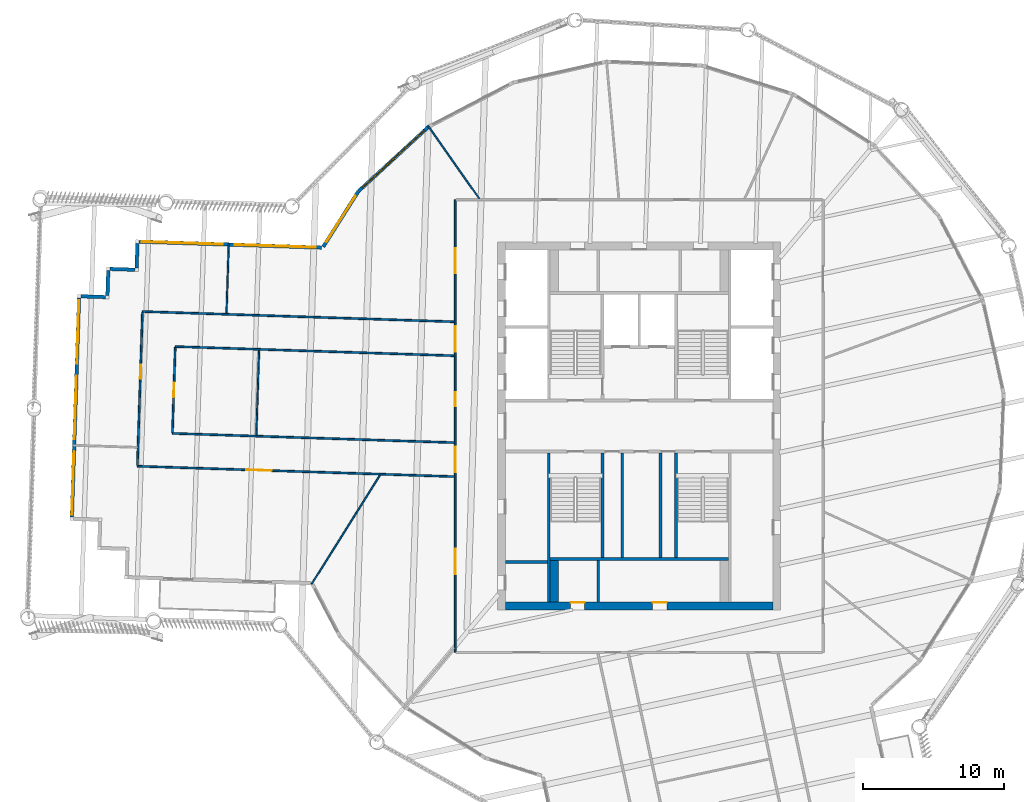
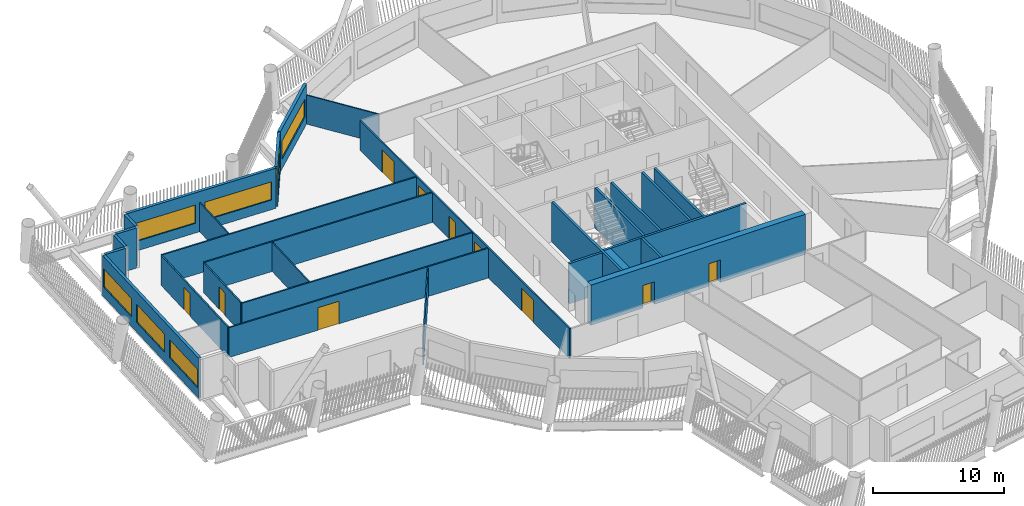
# One storey, part 4 of 21: 29 walls, 10 doors, 7 windows, 17 openings.
"""IFC4 building model written with IfcOpenShell, lengths in metres."""

from ifc_helpers import new_model, si_unit, direction, frame, frame_2d, origin, place, context, subcontext, project, spatial, rectangle, extrude, material, layer, layer_set, type_object, element, fill, save


model = new_model("IFC4")

# Units and contexts
model_context = context("Model", 3, precision=1e-05, world=origin(), true_north=direction((0.0, 1.0)))
body_context = subcontext(model_context, "Body", "Model", "MODEL_VIEW")
ifc_project = project(units=[si_unit("LENGTHUNIT", "METRE"), si_unit("AREAUNIT", "SQUARE_METRE"), si_unit("VOLUMEUNIT", "CUBIC_METRE"), si_unit("PLANEANGLEUNIT", "RADIAN"), si_unit("MASSUNIT", "GRAM", prefix="KILO")], contexts=[model_context])

# Site, building, storey
site_placement = place(None, origin())
site = spatial("IfcSite", under=ifc_project, at=site_placement, CompositionType="ELEMENT")
building_placement = place(site_placement, origin())
building = spatial("IfcBuilding", under=site, at=building_placement, Name="Tarsis Ring Headquarters", CompositionType="ELEMENT")
storey_placement = place(building_placement, frame((0.0, 0.0, 278.60009765625)))
storey = spatial("IfcBuildingStorey", under=building, at=storey_placement, Name="L65", CompositionType="ELEMENT", Elevation=278.60009765625)

# Walls
ifc_material_1 = material(Name="Blockwork", Category="masonry")
ifc_layer_1 = layer(ifc_material_1, 0.199951171875)
ifc_layer_set_1 = layer_set([ifc_layer_1], Name="Core blockwork wall 200")
wall_type_1 = type_object("IfcWallType", Name="Core blockwork wall 200", PredefinedType="PARTITIONING", material=ifc_layer_set_1)
for number, where, z_axis, x_axis, name in (
    (1, (-9.449951171875, -9.60009765625, 0.0), (0.0, 0.0, 1.0), (1.0, 0.0, 0.0), "Core partition WD1"),
    (2, (-2.89990234375, -12.449951171875, 0.0), (0.0, 0.0, 1.0), (0.0, 1.0, 0.0), "Core partition SD1"),
):
    element("IfcWall", number, at=place(storey_placement, frame(where, z_axis=z_axis, x_axis=x_axis)), inside=storey, type_object=wall_type_1, Name=name, PredefinedType="PARTITIONING", context=body_context, shape_type="SweptSolid", body=[
        extrude(rectangle(XDim=2.949951171875, YDim=0.199951171875, at=frame_2d((1.47509765625, 0.0))), origin(), (0.0, 0.0, 1.0), 3.739990234375),
    ])
for number, where, z_axis, x_axis, name in (
    (3, (-1.199951171875, -9.300048828125, 0.0), (0.0, 0.0, 1.0), (0.0, 1.0, 0.0), "Core partition SV1"),
    (4, (1.5, -9.300048828125, 0.0), (0.0, 0.0, 1.0), (0.0, 1.0, 0.0), "Core partition SV2"),
):
    element("IfcWall", number, at=place(storey_placement, frame(where, z_axis=z_axis, x_axis=x_axis)), inside=storey, type_object=wall_type_1, Name=name, PredefinedType="PARTITIONING", context=body_context, shape_type="SweptSolid", body=[
        extrude(rectangle(XDim=7.400146484375, YDim=0.199951171875, at=frame_2d((3.7001953125, 0.0))), origin(), (0.0, 0.0, 1.0), 3.739990234375),
    ])

# Wall, openings, doors
ifc_material_2 = material(Name="Concrete C50/60", Category="concrete")
ifc_layer_2 = layer(ifc_material_2, 0.550048828125)
ifc_layer_set_2 = layer_set([ifc_layer_2], Name="Core wall 550 C50/60")
wall_type_2 = type_object("IfcWallType", Name="Core wall 550 C50/60", PredefinedType="SHEAR", material=ifc_layer_set_2)
wall_1_placement = place(storey_placement, frame((-9.449951171875, -12.72509765625, 0.0), z_axis=(0.0, 0.0, 1.0), x_axis=(1.0, 0.0, 0.0)))
wall_1 = element("IfcWall", 5, at=wall_1_placement, inside=storey, type_object=wall_type_2, Name="Core wall OS", PredefinedType="SHEAR", context=body_context, shape_type="SweptSolid", body=[
    extrude(rectangle(XDim=18.89990234375, YDim=0.550048828125, at=frame_2d((9.449951171875, 0.0))), origin(), (0.0, 0.0, 1.0), 3.739990234375),
])
opening_1_placement = place(wall_1_placement, frame((4.60009765625, 0.0, 0.0)))
opening_1 = element("IfcOpeningElement", 6, at=opening_1_placement, cuts=wall_1, Name="Opening L65-C17", PredefinedType="OPENING", context=body_context, shape_type="SweptSolid", body=[
    extrude(rectangle(XDim=1.0, YDim=2.10009765625, at=frame_2d((0.5, 1.050048828125))), frame((0.0, 0.284912109375, 0.0), z_axis=(0.0, -1.0, 0.0), x_axis=(1.0, 0.0, 0.0)), (0.0, 0.0, 1.0), 0.570068359375),
])
opening_2_placement = place(wall_1_placement, frame((10.39990234375, 0.0, 0.0)))
opening_2 = element("IfcOpeningElement", 7, at=opening_2_placement, cuts=wall_1, Name="Opening L65-C18", PredefinedType="OPENING", context=body_context, shape_type="SweptSolid", body=[
    extrude(rectangle(XDim=1.0, YDim=2.10009765625, at=frame_2d((0.5, 1.050048828125))), frame((0.0, 0.284912109375, 0.0), z_axis=(0.0, -1.0, 0.0), x_axis=(1.0, 0.0, 0.0)), (0.0, 0.0, 1.0), 0.570068359375),
])
ifc_material_3 = material(Name="Steel S355", Category="steel")
door_type_1 = type_object("IfcDoorType", Name="Core room door 1000x2100", OperationType="SINGLE_SWING_LEFT", PredefinedType="DOOR", material=ifc_material_3)
door_1_placement = place(opening_1_placement, origin())
door_1 = element("IfcDoor", 8, at=door_1_placement, inside=storey, type_object=door_type_1, Name="Core room door L65", OperationType="SINGLE_SWING_LEFT", OverallHeight=2.10009765625, OverallWidth=1.0, PredefinedType="DOOR", context=body_context, shape_type="SweptSolid", body=[
    extrude(rectangle(XDim=1.0, YDim=2.10009765625, at=frame_2d((0.5, 1.050048828125))), frame((0.0, 0.27490234375, 0.0), z_axis=(0.0, -1.0, 0.0), x_axis=(1.0, 0.0, 0.0)), (0.0, 0.0, 1.0), 0.050048828125),
])
fill(opening_1, door_1)
door_2_placement = place(opening_2_placement, origin())
door_2 = element("IfcDoor", 9, at=door_2_placement, inside=storey, type_object=door_type_1, Name="Core room door L65", OperationType="SINGLE_SWING_LEFT", OverallHeight=2.10009765625, OverallWidth=1.0, PredefinedType="DOOR", context=body_context, shape_type="SweptSolid", body=[
    extrude(rectangle(XDim=1.0, YDim=2.10009765625, at=frame_2d((0.5, 1.050048828125))), frame((0.0, 0.27490234375, 0.0), z_axis=(0.0, -1.0, 0.0), x_axis=(1.0, 0.0, 0.0)), (0.0, 0.0, 1.0), 0.050048828125),
])
fill(opening_2, door_2)

# Walls
ifc_material_4 = material(Name="Gypsum board on steel studs", Category="steel")
ifc_layer_3 = layer(ifc_material_4, 0.10009765625)
ifc_layer_set_3 = layer_set([ifc_layer_3], Name="FL partition 100 unrated")
wall_type_3 = type_object("IfcWallType", Name="FL partition 100 unrated", PredefinedType="PARTITIONING", material=ifc_layer_set_3)
wall_2_placement = place(storey_placement, frame((-23.158203125, -11.171142578125, 0.0), z_axis=(0.0, 0.0, 1.0), x_axis=(0.531851083198, 0.846837897889, 0.0)))
element("IfcWall", 10, at=wall_2_placement, inside=storey, type_object=wall_type_3, Name="Partition PW3", PredefinedType="PARTITIONING", context=body_context, shape_type="SweptSolid", body=[
    extrude(rectangle(XDim=9.08154296875, YDim=0.10009765625, at=frame_2d((4.540771484375, 0.0))), origin(), (0.0, 0.0, 1.0), 2.699951171875),
])
wall_3_placement = place(storey_placement, frame((-14.927490234375, 21.22412109375, 0.0), z_axis=(0.0, 0.0, 1.0), x_axis=(0.575282723059, -0.81795463722, 0.0)))
element("IfcWall", 11, at=wall_3_placement, inside=storey, type_object=wall_type_3, Name="Partition PW3", PredefinedType="PARTITIONING", context=body_context, shape_type="SweptSolid", body=[
    extrude(rectangle(XDim=6.286865234375, YDim=0.10009765625, at=frame_2d((3.1435546875, 0.0))), origin(), (0.0, 0.0, 1.0), 2.699951171875),
])
wall_4_placement = place(storey_placement, frame((-27.065673828125, -0.642333984375, 0.0), z_axis=(0.0, 0.0, 1.0), x_axis=(0.032797263748, 0.999462025037, 0.0)))
element("IfcWall", 12, at=wall_4_placement, inside=storey, type_object=wall_type_3, Name="Partition PW3", PredefinedType="PARTITIONING", context=body_context, shape_type="SweptSolid", body=[
    extrude(rectangle(XDim=5.999755859375, YDim=0.10009765625, at=frame_2d((3.0, 0.0))), origin(), (0.0, 0.0, 1.0), 2.699951171875),
])
wall_5_placement = place(storey_placement, frame((-29.17431640625, 7.971435546875, 0.0), z_axis=(0.0, 0.0, 1.0), x_axis=(0.032816217748, 0.999461402883, 0.0)))
element("IfcWall", 13, at=wall_5_placement, inside=storey, type_object=wall_type_3, Name="Partition PW3", PredefinedType="PARTITIONING", context=body_context, shape_type="SweptSolid", body=[
    extrude(rectangle(XDim=4.93994140625, YDim=0.10009765625, at=frame_2d((2.469970703125, 0.0))), origin(), (0.0, 0.0, 1.0), 2.699951171875),
])

# Wall, openings, doors
ifc_layer_4 = layer(ifc_material_4, 0.125)
ifc_layer_set_4 = layer_set([ifc_layer_4], Name="FL partition 125 EI 60 H2770")
wall_type_4 = type_object("IfcWallType", Name="FL partition 125 EI 60 H2770", PredefinedType="PARTITIONING", material=ifc_layer_set_4)
wall_6_placement = place(storey_placement, frame((-13.0, -16.0, 0.0), z_axis=(0.0, 0.0, 1.0), x_axis=(0.0, 1.0, 0.0)))
wall_6 = element("IfcWall", 14, at=wall_6_placement, inside=storey, type_object=wall_type_4, Name="Partition PW1", PredefinedType="PARTITIONING", context=body_context, shape_type="SweptSolid", body=[
    extrude(rectangle(XDim=32.0, YDim=0.125, at=frame_2d((16.0, 0.0))), origin(), (0.0, 0.0, 1.0), 2.77001953125),
])
opening_3_placement = place(wall_6_placement, frame((26.78515625, 0.0, 0.0)))
opening_3 = element("IfcOpeningElement", 15, at=opening_3_placement, cuts=wall_6, Name="Opening D65.03", PredefinedType="OPENING", context=body_context, shape_type="SweptSolid", body=[
    extrude(rectangle(XDim=1.800048828125, YDim=2.10009765625, at=frame_2d((0.89990234375, 1.050048828125))), frame((0.0, 0.072509765625, 0.0), z_axis=(0.0, -1.0, 0.0), x_axis=(1.0, 0.0, 0.0)), (0.0, 0.0, 1.0), 0.14501953125),
])
opening_4_placement = place(wall_6_placement, frame((5.53271484375, 0.0, 0.0)))
opening_4 = element("IfcOpeningElement", 16, at=opening_4_placement, cuts=wall_6, Name="Opening D65.13", PredefinedType="OPENING", context=body_context, shape_type="SweptSolid", body=[
    extrude(rectangle(XDim=1.800048828125, YDim=2.10009765625, at=frame_2d((0.89990234375, 1.050048828125))), frame((0.0, 0.072509765625, 0.0), z_axis=(0.0, -1.0, 0.0), x_axis=(1.0, 0.0, 0.0)), (0.0, 0.0, 1.0), 0.14501953125),
])
opening_5_placement = place(wall_6_placement, frame((17.3974609375, 0.0, 0.0)))
opening_5 = element("IfcOpeningElement", 17, at=opening_5_placement, cuts=wall_6, Name="Opening D65.14", PredefinedType="OPENING", context=body_context, shape_type="SweptSolid", body=[
    extrude(rectangle(XDim=1.0, YDim=2.10009765625, at=frame_2d((0.5, 1.050048828125))), frame((0.0, 0.072509765625, 0.0), z_axis=(0.0, -1.0, 0.0), x_axis=(1.0, 0.0, 0.0)), (0.0, 0.0, 1.0), 0.14501953125),
])
opening_6_placement = place(wall_6_placement, frame((12.72509765625, 0.0, 0.0)))
opening_6 = element("IfcOpeningElement", 18, at=opening_6_placement, cuts=wall_6, Name="Opening D65.20", PredefinedType="OPENING", context=body_context, shape_type="SweptSolid", body=[
    extrude(rectangle(XDim=1.800048828125, YDim=2.10009765625, at=frame_2d((0.89990234375, 1.050048828125))), frame((0.0, 0.072509765625, 0.0), z_axis=(0.0, -1.0, 0.0), x_axis=(1.0, 0.0, 0.0)), (0.0, 0.0, 1.0), 0.14501953125),
])
opening_7_placement = place(wall_6_placement, frame((21.269775390625, 0.0, 0.0)))
opening_7 = element("IfcOpeningElement", 19, at=opening_7_placement, cuts=wall_6, Name="Opening D65.21", PredefinedType="OPENING", context=body_context, shape_type="SweptSolid", body=[
    extrude(rectangle(XDim=1.800048828125, YDim=2.10009765625, at=frame_2d((0.89990234375, 1.050048828125))), frame((0.0, 0.072509765625, 0.0), z_axis=(0.0, -1.0, 0.0), x_axis=(1.0, 0.0, 0.0)), (0.0, 0.0, 1.0), 0.14501953125),
])
ifc_material_5 = material(Name="Fire-rated timber door leaf in steel frame", Category="steel")
door_type_2 = type_object("IfcDoorType", Name="FL door FD60-1000", OperationType="NOTDEFINED", PredefinedType="DOOR", material=ifc_material_5)
door_3_placement = place(opening_5_placement, origin())
door_3 = element("IfcDoor", 20, at=door_3_placement, inside=storey, type_object=door_type_2, Name="Door D65.14", OperationType="SINGLE_SWING_LEFT", OverallHeight=2.10009765625, OverallWidth=1.0, PredefinedType="DOOR", context=body_context, shape_type="SweptSolid", body=[
    extrude(rectangle(XDim=1.0, YDim=2.10009765625, at=frame_2d((0.5, 1.050048828125))), frame((0.0, 0.02490234375, 0.0), z_axis=(0.0, -1.0, 0.0), x_axis=(1.0, 0.0, 0.0)), (0.0, 0.0, 1.0), 0.050048828125),
])
fill(opening_5, door_3)
door_type_3 = type_object("IfcDoorType", Name="FL door FD60-1800", OperationType="DOUBLE_DOOR_SINGLE_SWING", PredefinedType="DOOR", material=ifc_material_5)
door_4_placement = place(opening_3_placement, origin())
door_4 = element("IfcDoor", 21, at=door_4_placement, inside=storey, type_object=door_type_3, Name="Door D65.03", OperationType="DOUBLE_DOOR_SINGLE_SWING", OverallHeight=2.10009765625, OverallWidth=1.800048828125, PredefinedType="DOOR", context=body_context, shape_type="SweptSolid", body=[
    extrude(rectangle(XDim=1.800048828125, YDim=2.10009765625, at=frame_2d((0.89990234375, 1.050048828125))), frame((0.0, 0.02490234375, 0.0), z_axis=(0.0, -1.0, 0.0), x_axis=(1.0, 0.0, 0.0)), (0.0, 0.0, 1.0), 0.050048828125),
])
fill(opening_3, door_4)
door_5_placement = place(opening_4_placement, origin())
door_5 = element("IfcDoor", 22, at=door_5_placement, inside=storey, type_object=door_type_3, Name="Door D65.13", OperationType="DOUBLE_DOOR_SINGLE_SWING", OverallHeight=2.10009765625, OverallWidth=1.800048828125, PredefinedType="DOOR", context=body_context, shape_type="SweptSolid", body=[
    extrude(rectangle(XDim=1.800048828125, YDim=2.10009765625, at=frame_2d((0.89990234375, 1.050048828125))), frame((0.0, 0.02490234375, 0.0), z_axis=(0.0, -1.0, 0.0), x_axis=(1.0, 0.0, 0.0)), (0.0, 0.0, 1.0), 0.050048828125),
])
fill(opening_4, door_5)
door_6_placement = place(opening_6_placement, origin())
door_6 = element("IfcDoor", 23, at=door_6_placement, inside=storey, type_object=door_type_3, Name="Door D65.20", OperationType="DOUBLE_DOOR_SINGLE_SWING", OverallHeight=2.10009765625, OverallWidth=1.800048828125, PredefinedType="DOOR", context=body_context, shape_type="SweptSolid", body=[
    extrude(rectangle(XDim=1.800048828125, YDim=2.10009765625, at=frame_2d((0.89990234375, 1.050048828125))), frame((0.0, 0.02490234375, 0.0), z_axis=(0.0, -1.0, 0.0), x_axis=(1.0, 0.0, 0.0)), (0.0, 0.0, 1.0), 0.050048828125),
])
fill(opening_6, door_6)
door_7_placement = place(opening_7_placement, origin())
door_7 = element("IfcDoor", 24, at=door_7_placement, inside=storey, type_object=door_type_3, Name="Door D65.21", OperationType="DOUBLE_DOOR_SINGLE_SWING", OverallHeight=2.10009765625, OverallWidth=1.800048828125, PredefinedType="DOOR", context=body_context, shape_type="SweptSolid", body=[
    extrude(rectangle(XDim=1.800048828125, YDim=2.10009765625, at=frame_2d((0.89990234375, 1.050048828125))), frame((0.0, 0.02490234375, 0.0), z_axis=(0.0, -1.0, 0.0), x_axis=(1.0, 0.0, 0.0)), (0.0, 0.0, 1.0), 0.050048828125),
])
fill(opening_7, door_7)

# Wall, opening, door
wall_7_placement = place(storey_placement, frame((-35.47216796875, -2.837890625, 0.0), z_axis=(0.0, 0.0, 1.0), x_axis=(0.999462047888, -0.03279656738, 0.0)))
wall_7 = element("IfcWall", 25, at=wall_7_placement, inside=storey, type_object=wall_type_4, Name="Partition PW1", PredefinedType="PARTITIONING", context=body_context, shape_type="SweptSolid", body=[
    extrude(rectangle(XDim=22.4140625, YDim=0.125, at=frame_2d((11.20703125, 0.0))), origin(), (0.0, 0.0, 1.0), 2.77001953125),
])
opening_8_placement = place(wall_7_placement, frame((7.69873046875, 0.0, 0.0)))
opening_8 = element("IfcOpeningElement", 26, at=opening_8_placement, cuts=wall_7, Name="Opening D65.01", PredefinedType="OPENING", context=body_context, shape_type="SweptSolid", body=[
    extrude(rectangle(XDim=1.800048828125, YDim=2.10009765625, at=frame_2d((0.89990234375, 1.050048828125))), frame((0.0, 0.072509765625, 0.0), z_axis=(0.0, -1.0, 0.0), x_axis=(1.0, 0.0, 0.0)), (0.0, 0.0, 1.0), 0.14501953125),
])
door_8_placement = place(opening_8_placement, origin())
door_8 = element("IfcDoor", 27, at=door_8_placement, inside=storey, type_object=door_type_3, Name="Door D65.01", OperationType="DOUBLE_DOOR_SINGLE_SWING", OverallHeight=2.10009765625, OverallWidth=1.800048828125, PredefinedType="DOOR", context=body_context, shape_type="SweptSolid", body=[
    extrude(rectangle(XDim=1.800048828125, YDim=2.10009765625, at=frame_2d((0.89990234375, 1.050048828125))), frame((0.0, 0.02490234375, 0.0), z_axis=(0.0, -1.0, 0.0), x_axis=(1.0, 0.0, 0.0)), (0.0, 0.0, 1.0), 0.050048828125),
])
fill(opening_8, door_8)

# Walls
wall_8_placement = place(storey_placement, frame((-35.11328125, 8.09619140625, 0.0), z_axis=(0.0, 0.0, 1.0), x_axis=(0.999461961924, -0.032799186979, 0.0)))
element("IfcWall", 28, at=wall_8_placement, inside=storey, type_object=wall_type_4, Name="Partition PW1", PredefinedType="PARTITIONING", context=body_context, shape_type="SweptSolid", body=[
    extrude(rectangle(XDim=22.05517578125, YDim=0.125, at=frame_2d((11.027587890625, 0.0))), origin(), (0.0, 0.0, 1.0), 2.77001953125),
])
wall_9_placement = place(storey_placement, frame((-32.99462890625, -0.517822265625, 0.0), z_axis=(0.0, 0.0, 1.0), x_axis=(0.999461646902, -0.032808784993, 0.0)))
element("IfcWall", 29, at=wall_9_placement, inside=storey, type_object=wall_type_4, Name="Partition PW1", PredefinedType="PARTITIONING", context=body_context, shape_type="SweptSolid", body=[
    extrude(rectangle(XDim=19.935302734375, YDim=0.125, at=frame_2d((9.9677734375, 0.0))), origin(), (0.0, 0.0, 1.0), 2.77001953125),
])
wall_10_placement = place(storey_placement, frame((-32.793212890625, 5.618896484375, 0.0), z_axis=(0.0, 0.0, 1.0), x_axis=(0.999461613705, -0.032809796246, 0.0)))
element("IfcWall", 30, at=wall_10_placement, inside=storey, type_object=wall_type_4, Name="Partition PW1", PredefinedType="PARTITIONING", context=body_context, shape_type="SweptSolid", body=[
    extrude(rectangle(XDim=19.73388671875, YDim=0.125, at=frame_2d((9.866943359375, 0.0))), origin(), (0.0, 0.0, 1.0), 2.77001953125),
])

# Wall, opening, door
wall_11_placement = place(storey_placement, frame((-35.47021484375, -2.77783203125, 0.0), z_axis=(0.0, 0.0, 1.0), x_axis=(0.032807704846, 0.999461682358, 0.0)))
wall_11 = element("IfcWall", 31, at=wall_11_placement, inside=storey, type_object=wall_type_4, Name="Partition PW1", PredefinedType="PARTITIONING", context=body_context, shape_type="SweptSolid", body=[
    extrude(rectangle(XDim=10.820068359375, YDim=0.125, at=frame_2d((5.41015625, 0.0))), origin(), (0.0, 0.0, 1.0), 2.77001953125),
])
opening_9_placement = place(wall_11_placement, frame((6.110107421875, 0.0, 0.0)))
opening_9 = element("IfcOpeningElement", 32, at=opening_9_placement, cuts=wall_11, Name="Opening D65.02", PredefinedType="OPENING", context=body_context, shape_type="SweptSolid", body=[
    extrude(rectangle(XDim=1.0, YDim=2.10009765625, at=frame_2d((0.5, 1.050048828125))), frame((0.0, 0.072509765625, 0.0), z_axis=(0.0, -1.0, 0.0), x_axis=(1.0, 0.0, 0.0)), (0.0, 0.0, 1.0), 0.14501953125),
])
door_9_placement = place(opening_9_placement, origin())
door_9 = element("IfcDoor", 33, at=door_9_placement, inside=storey, type_object=door_type_2, Name="Door D65.02", OperationType="SINGLE_SWING_LEFT", OverallHeight=2.10009765625, OverallWidth=1.0, PredefinedType="DOOR", context=body_context, shape_type="SweptSolid", body=[
    extrude(rectangle(XDim=1.0, YDim=2.10009765625, at=frame_2d((0.5, 1.050048828125))), frame((0.0, 0.02490234375, 0.0), z_axis=(0.0, -1.0, 0.0), x_axis=(1.0, 0.0, 0.0)), (0.0, 0.0, 1.0), 0.050048828125),
])
fill(opening_9, door_9)

wall_12_placement = place(storey_placement, frame((-32.992919921875, -0.4580078125, 0.0), z_axis=(0.0, 0.0, 1.0), x_axis=(0.032808459363, 0.999461657591, 0.0)))
wall_12 = element("IfcWall", 34, at=wall_12_placement, inside=storey, type_object=wall_type_4, Name="Partition PW1", PredefinedType="PARTITIONING", context=body_context, shape_type="SweptSolid", body=[
    extrude(rectangle(XDim=6.02001953125, YDim=0.125, at=frame_2d((3.010009765625, 0.0))), origin(), (0.0, 0.0, 1.0), 2.77001953125),
])
opening_10_placement = place(wall_12_placement, frame((2.510009765625, 0.0, 0.0)))
opening_10 = element("IfcOpeningElement", 35, at=opening_10_placement, cuts=wall_12, Name="Opening D65.15", PredefinedType="OPENING", context=body_context, shape_type="SweptSolid", body=[
    extrude(rectangle(XDim=1.0, YDim=2.10009765625, at=frame_2d((0.5, 1.050048828125))), frame((0.0, 0.072509765625, 0.0), z_axis=(0.0, -1.0, 0.0), x_axis=(1.0, 0.0, 0.0)), (0.0, 0.0, 1.0), 0.14501953125),
])
door_10_placement = place(opening_10_placement, origin())
door_10 = element("IfcDoor", 36, at=door_10_placement, inside=storey, type_object=door_type_2, Name="Door D65.15", OperationType="SINGLE_SWING_RIGHT", OverallHeight=2.10009765625, OverallWidth=1.0, PredefinedType="DOOR", context=body_context, shape_type="SweptSolid", body=[
    extrude(rectangle(XDim=1.0, YDim=2.10009765625, at=frame_2d((0.5, 1.050048828125))), frame((0.0, 0.02490234375, 0.0), z_axis=(0.0, -1.0, 0.0), x_axis=(1.0, 0.0, 0.0)), (0.0, 0.0, 1.0), 0.050048828125),
])
fill(opening_10, door_10)

# Wall, opening, window
ifc_material_6 = material(Name="Terracotta clad insulated panel wall", Category="masonry")
ifc_layer_5 = layer(ifc_material_6, 0.25)
ifc_layer_set_5 = layer_set([ifc_layer_5], Name="Facade wall terracotta panel 250")
wall_type_5 = type_object("IfcWallType", Name="Facade wall terracotta panel 250", PredefinedType="STANDARD", material=ifc_layer_set_5)
wall_13_placement = place(storey_placement, frame((-14.897216796875, 21.15234375, 0.0), z_axis=(0.0, 0.0, 1.0), x_axis=(-0.735863681886, -0.677129708166, 0.0)))
wall_13 = element("IfcWall", 37, at=wall_13_placement, inside=storey, type_object=wall_type_5, Name="External wall L65-29", PredefinedType="STANDARD", context=body_context, shape_type="SweptSolid", body=[
    extrude(rectangle(XDim=6.721435546875, YDim=0.25, at=frame_2d((3.36083984375, 0.0))), origin(), (0.0, 0.0, 1.0), 3.739990234375),
])
opening_11_placement = place(wall_13_placement, frame((0.3857421875, 0.0, 0.89990234375)))
opening_11 = element("IfcOpeningElement", 38, at=opening_11_placement, cuts=wall_13, Name="Opening WN07", PredefinedType="OPENING", context=body_context, shape_type="SweptSolid", body=[
    extrude(rectangle(XDim=5.949951171875, YDim=1.699951171875, at=frame_2d((2.97509765625, 0.85009765625))), frame((0.0, 0.135009765625, 0.0), z_axis=(0.0, -1.0, 0.0), x_axis=(1.0, 0.0, 0.0)), (0.0, 0.0, 1.0), 0.27001953125),
])
ifc_material_7 = material(Name="Aluminium framed double glazing", Category="aluminium")
window_type_1 = type_object("IfcWindowType", Name="Facade window 5950 x 1700", PartitioningType="SINGLE_PANEL", PredefinedType="WINDOW", material=ifc_material_7)
window_1_placement = place(opening_11_placement, origin())
window_1 = element("IfcWindow", 39, at=window_1_placement, inside=storey, type_object=window_type_1, Name="Window L65-29.1", OverallHeight=1.699951171875, OverallWidth=5.949951171875, PartitioningType="SINGLE_PANEL", PredefinedType="WINDOW", context=body_context, shape_type="SweptSolid", body=[
    extrude(rectangle(XDim=5.949951171875, YDim=1.699951171875, at=frame_2d((2.97509765625, 0.85009765625))), frame((0.0, 0.030029296875, 0.0), z_axis=(0.0, -1.0, 0.0), x_axis=(1.0, 0.0, 0.0)), (0.0, 0.0, 1.0), 0.06005859375),
])
fill(opening_11, window_1)

wall_14_placement = place(storey_placement, frame((-19.8642578125, 16.575927734375, 0.0), z_axis=(0.0, 0.0, 1.0), x_axis=(-0.535533748064, -0.844513827409, 0.0)))
wall_14 = element("IfcWall", 40, at=wall_14_placement, inside=storey, type_object=wall_type_5, Name="External wall L65-30", PredefinedType="STANDARD", context=body_context, shape_type="SweptSolid", body=[
    extrude(rectangle(XDim=4.61767578125, YDim=0.25, at=frame_2d((2.308837890625, 0.0))), origin(), (0.0, 0.0, 1.0), 3.739990234375),
])
opening_12_placement = place(wall_14_placement, frame((0.367431640625, 0.0, 0.89990234375)))
opening_12 = element("IfcOpeningElement", 41, at=opening_12_placement, cuts=wall_14, Name="Opening WN02", PredefinedType="OPENING", context=body_context, shape_type="SweptSolid", body=[
    extrude(rectangle(XDim=3.85009765625, YDim=1.699951171875, at=frame_2d((1.925048828125, 0.85009765625))), frame((0.0, 0.135009765625, 0.0), z_axis=(0.0, -1.0, 0.0), x_axis=(1.0, 0.0, 0.0)), (0.0, 0.0, 1.0), 0.27001953125),
])
window_type_2 = type_object("IfcWindowType", Name="Facade window 3850 x 1700", PartitioningType="SINGLE_PANEL", PredefinedType="WINDOW", material=ifc_material_7)
window_2_placement = place(opening_12_placement, origin())
window_2 = element("IfcWindow", 42, at=window_2_placement, inside=storey, type_object=window_type_2, Name="Window L65-30.1", OverallHeight=1.699951171875, OverallWidth=3.85009765625, PartitioningType="SINGLE_PANEL", PredefinedType="WINDOW", context=body_context, shape_type="SweptSolid", body=[
    extrude(rectangle(XDim=3.85009765625, YDim=1.699951171875, at=frame_2d((1.925048828125, 0.85009765625))), frame((0.0, 0.030029296875, 0.0), z_axis=(0.0, -1.0, 0.0), x_axis=(1.0, 0.0, 0.0)), (0.0, 0.0, 1.0), 0.06005859375),
])
fill(opening_12, window_2)

# Wall, openings, windows
wall_15_placement = place(storey_placement, frame((-22.44677734375, 12.6181640625, 0.0), z_axis=(0.0, 0.0, 1.0), x_axis=(-0.999461478934, 0.032813901438, 0.0)))
wall_15 = element("IfcWall", 43, at=wall_15_placement, inside=storey, type_object=wall_type_5, Name="External wall L65-31", PredefinedType="STANDARD", context=body_context, shape_type="SweptSolid", body=[
    extrude(rectangle(XDim=12.901123046875, YDim=0.25, at=frame_2d((6.45068359375, 0.0))), origin(), (0.0, 0.0, 1.0), 3.739990234375),
])
opening_13_placement = place(wall_15_placement, frame((0.412841796875, 0.0, 0.89990234375)))
opening_13 = element("IfcOpeningElement", 44, at=opening_13_placement, cuts=wall_15, Name="Opening WN06", PredefinedType="OPENING", context=body_context, shape_type="SweptSolid", body=[
    extrude(rectangle(XDim=5.75, YDim=1.699951171875, at=frame_2d((2.875, 0.85009765625))), frame((0.0, 0.135009765625, 0.0), z_axis=(0.0, -1.0, 0.0), x_axis=(1.0, 0.0, 0.0)), (0.0, 0.0, 1.0), 0.27001953125),
])
opening_14_placement = place(wall_15_placement, frame((6.988525390625, 0.0, 0.89990234375)))
opening_14 = element("IfcOpeningElement", 45, at=opening_14_placement, cuts=wall_15, Name="Opening WN06", PredefinedType="OPENING", context=body_context, shape_type="SweptSolid", body=[
    extrude(rectangle(XDim=5.75, YDim=1.699951171875, at=frame_2d((2.875, 0.85009765625))), frame((0.0, 0.135009765625, 0.0), z_axis=(0.0, -1.0, 0.0), x_axis=(1.0, 0.0, 0.0)), (0.0, 0.0, 1.0), 0.27001953125),
])
window_type_3 = type_object("IfcWindowType", Name="Facade window 5750 x 1700", PartitioningType="SINGLE_PANEL", PredefinedType="WINDOW", material=ifc_material_7)
window_3_placement = place(opening_13_placement, origin())
window_3 = element("IfcWindow", 46, at=window_3_placement, inside=storey, type_object=window_type_3, Name="Window L65-31.1", OverallHeight=1.699951171875, OverallWidth=5.75, PartitioningType="SINGLE_PANEL", PredefinedType="WINDOW", context=body_context, shape_type="SweptSolid", body=[
    extrude(rectangle(XDim=5.75, YDim=1.699951171875, at=frame_2d((2.875, 0.85009765625))), frame((0.0, 0.030029296875, 0.0), z_axis=(0.0, -1.0, 0.0), x_axis=(1.0, 0.0, 0.0)), (0.0, 0.0, 1.0), 0.06005859375),
])
fill(opening_13, window_3)
window_4_placement = place(opening_14_placement, origin())
window_4 = element("IfcWindow", 47, at=window_4_placement, inside=storey, type_object=window_type_3, Name="Window L65-31.2", OverallHeight=1.699951171875, OverallWidth=5.75, PartitioningType="SINGLE_PANEL", PredefinedType="WINDOW", context=body_context, shape_type="SweptSolid", body=[
    extrude(rectangle(XDim=5.75, YDim=1.699951171875, at=frame_2d((2.875, 0.85009765625))), frame((0.0, 0.030029296875, 0.0), z_axis=(0.0, -1.0, 0.0), x_axis=(1.0, 0.0, 0.0)), (0.0, 0.0, 1.0), 0.06005859375),
])
fill(opening_14, window_4)

# Walls
for number, where, z_axis, x_axis, name in (
    (48, (-35.47021484375, 12.920654296875, 0.0), (0.0, 0.0, 1.0), (-0.032785269174, -0.999462418566, 0.0), "External wall L65-32"),
    (49, (-35.65673828125, 11.05078125, 0.0), (0.0, 0.0, 1.0), (-0.999462418566, 0.032785269174, 0.0), "External wall L65-33"),
    (50, (-37.53466796875, 10.9873046875, 0.0), (0.0, 0.0, 1.0), (-0.032785269174, -0.999462418566, 0.0), "External wall L65-34"),
    (51, (-37.72119140625, 9.117431640625, 0.0), (0.0, 0.0, 1.0), (-0.999462418566, 0.032785269174, 0.0), "External wall L65-35"),
):
    element("IfcWall", number, at=place(storey_placement, frame(where, z_axis=z_axis, x_axis=x_axis)), inside=storey, type_object=wall_type_5, Name=name, PredefinedType="STANDARD", context=body_context, shape_type="SweptSolid", body=[
        extrude(rectangle(XDim=1.75, YDim=0.25, at=frame_2d((0.875, 0.0))), origin(), (0.0, 0.0, 1.0), 3.739990234375),
    ])

# Wall, openings, windows
wall_16_placement = place(storey_placement, frame((-39.599365234375, 9.053955078125, 0.0), z_axis=(0.0, 0.0, 1.0), x_axis=(-0.032793522736, -0.999462147791, 0.0)))
wall_16 = element("IfcWall", 52, at=wall_16_placement, inside=storey, type_object=wall_type_5, Name="External wall L65-36", PredefinedType="STANDARD", context=body_context, shape_type="SweptSolid", body=[
    extrude(rectangle(XDim=15.5, YDim=0.25, at=frame_2d((7.75, 0.0))), origin(), (0.0, 0.0, 1.0), 3.739990234375),
])
opening_15_placement = place(wall_16_placement, frame((0.166748046875, 0.0, 0.89990234375)))
opening_15 = element("IfcOpeningElement", 53, at=opening_15_placement, cuts=wall_16, Name="Opening WN04", PredefinedType="OPENING", context=body_context, shape_type="SweptSolid", body=[
    extrude(rectangle(XDim=4.5, YDim=1.699951171875, at=frame_2d((2.25, 0.85009765625))), frame((0.0, 0.135009765625, 0.0), z_axis=(0.0, -1.0, 0.0), x_axis=(1.0, 0.0, 0.0)), (0.0, 0.0, 1.0), 0.27001953125),
])
opening_16_placement = place(wall_16_placement, frame((5.5, 0.0, 0.89990234375)))
opening_16 = element("IfcOpeningElement", 54, at=opening_16_placement, cuts=wall_16, Name="Opening WN04", PredefinedType="OPENING", context=body_context, shape_type="SweptSolid", body=[
    extrude(rectangle(XDim=4.5, YDim=1.699951171875, at=frame_2d((2.25, 0.85009765625))), frame((0.0, 0.135009765625, 0.0), z_axis=(0.0, -1.0, 0.0), x_axis=(1.0, 0.0, 0.0)), (0.0, 0.0, 1.0), 0.27001953125),
])
opening_17_placement = place(wall_16_placement, frame((10.833251953125, 0.0, 0.89990234375)))
opening_17 = element("IfcOpeningElement", 55, at=opening_17_placement, cuts=wall_16, Name="Opening WN04", PredefinedType="OPENING", context=body_context, shape_type="SweptSolid", body=[
    extrude(rectangle(XDim=4.5, YDim=1.699951171875, at=frame_2d((2.25, 0.85009765625))), frame((0.0, 0.135009765625, 0.0), z_axis=(0.0, -1.0, 0.0), x_axis=(1.0, 0.0, 0.0)), (0.0, 0.0, 1.0), 0.27001953125),
])
window_type_4 = type_object("IfcWindowType", Name="Facade window 4500 x 1700", PartitioningType="SINGLE_PANEL", PredefinedType="WINDOW", material=ifc_material_7)
window_5_placement = place(opening_15_placement, origin())
window_5 = element("IfcWindow", 56, at=window_5_placement, inside=storey, type_object=window_type_4, Name="Window L65-36.1", OverallHeight=1.699951171875, OverallWidth=4.5, PartitioningType="SINGLE_PANEL", PredefinedType="WINDOW", context=body_context, shape_type="SweptSolid", body=[
    extrude(rectangle(XDim=4.5, YDim=1.699951171875, at=frame_2d((2.25, 0.85009765625))), frame((0.0, 0.030029296875, 0.0), z_axis=(0.0, -1.0, 0.0), x_axis=(1.0, 0.0, 0.0)), (0.0, 0.0, 1.0), 0.06005859375),
])
fill(opening_15, window_5)
window_6_placement = place(opening_16_placement, origin())
window_6 = element("IfcWindow", 57, at=window_6_placement, inside=storey, type_object=window_type_4, Name="Window L65-36.2", OverallHeight=1.699951171875, OverallWidth=4.5, PartitioningType="SINGLE_PANEL", PredefinedType="WINDOW", context=body_context, shape_type="SweptSolid", body=[
    extrude(rectangle(XDim=4.5, YDim=1.699951171875, at=frame_2d((2.25, 0.85009765625))), frame((0.0, 0.030029296875, 0.0), z_axis=(0.0, -1.0, 0.0), x_axis=(1.0, 0.0, 0.0)), (0.0, 0.0, 1.0), 0.06005859375),
])
fill(opening_16, window_6)
window_7_placement = place(opening_17_placement, origin())
window_7 = element("IfcWindow", 58, at=window_7_placement, inside=storey, type_object=window_type_4, Name="Window L65-36.3", OverallHeight=1.699951171875, OverallWidth=4.5, PartitioningType="SINGLE_PANEL", PredefinedType="WINDOW", context=body_context, shape_type="SweptSolid", body=[
    extrude(rectangle(XDim=4.5, YDim=1.699951171875, at=frame_2d((2.25, 0.85009765625))), frame((0.0, 0.030029296875, 0.0), z_axis=(0.0, -1.0, 0.0), x_axis=(1.0, 0.0, 0.0)), (0.0, 0.0, 1.0), 0.06005859375),
])
fill(opening_17, window_7)

# Walls
ifc_material_8 = material(Name="Concrete C32/40", Category="concrete")
ifc_layer_6 = layer(ifc_material_8, 0.60009765625)
ifc_layer_set_6 = layer_set([ifc_layer_6], Name="Shaft end wall 600 C32/40")
wall_type_6 = type_object("IfcWallType", Name="Shaft end wall 600 C32/40", PredefinedType="SOLIDWALL", material=ifc_layer_set_6)
wall_17_placement = place(storey_placement, frame((-6.0, -12.449951171875, 0.0), z_axis=(0.0, 0.0, 1.0), x_axis=(0.0, 1.0, 0.0)))
element("IfcWall", 59, at=wall_17_placement, inside=storey, type_object=wall_type_6, Name="Core shaft wall SNE1", PredefinedType="SOLIDWALL", context=body_context, shape_type="SweptSolid", body=[
    extrude(rectangle(XDim=2.949951171875, YDim=0.60009765625, at=frame_2d((1.47509765625, 0.0))), origin(), (0.0, 0.0, 1.0), 3.739990234375),
])
ifc_layer_7 = layer(ifc_material_8, 0.199951171875)
ifc_layer_set_7 = layer_set([ifc_layer_7], Name="Shaft wall 200 C32/40")
wall_type_7 = type_object("IfcWallType", Name="Shaft wall 200 C32/40", PredefinedType="SOLIDWALL", material=ifc_layer_set_7)
wall_18_placement = place(storey_placement, frame((-6.39990234375, -12.449951171875, 0.0), z_axis=(0.0, 0.0, 1.0), x_axis=(0.0, 1.0, 0.0)))
element("IfcWall", 60, at=wall_18_placement, inside=storey, type_object=wall_type_7, Name="Core shaft wall WB1", PredefinedType="SOLIDWALL", context=body_context, shape_type="SweptSolid", body=[
    extrude(rectangle(XDim=10.550048828125, YDim=0.199951171875, at=frame_2d((5.27490234375, 0.0))), origin(), (0.0, 0.0, 1.0), 3.739990234375),
])
wall_19_placement = place(storey_placement, frame((-6.300048828125, -9.39990234375, 0.0), z_axis=(0.0, 0.0, 1.0), x_axis=(1.0, 0.0, 0.0)))
element("IfcWall", 61, at=wall_19_placement, inside=storey, type_object=wall_type_7, Name="Core shaft wall SB", PredefinedType="SOLIDWALL", context=body_context, shape_type="SweptSolid", body=[
    extrude(rectangle(XDim=12.60009765625, YDim=0.199951171875, at=frame_2d((6.300048828125, 0.0))), origin(), (0.0, 0.0, 1.0), 3.739990234375),
])
for number, where, z_axis, x_axis, name in (
    (62, (-2.60009765625, -9.300048828125, 0.0), (0.0, 0.0, 1.0), (0.0, 1.0, 0.0), "Core shaft wall SW3"),
    (63, (2.60009765625, -9.300048828125, 0.0), (0.0, 0.0, 1.0), (0.0, 1.0, 0.0), "Core shaft wall SW4"),
):
    element("IfcWall", number, at=place(storey_placement, frame(where, z_axis=z_axis, x_axis=x_axis)), inside=storey, type_object=wall_type_7, Name=name, PredefinedType="SOLIDWALL", context=body_context, shape_type="SweptSolid", body=[
        extrude(rectangle(XDim=7.400146484375, YDim=0.199951171875, at=frame_2d((3.7001953125, 0.0))), origin(), (0.0, 0.0, 1.0), 3.739990234375),
    ])

save(model, "model.ifc")
